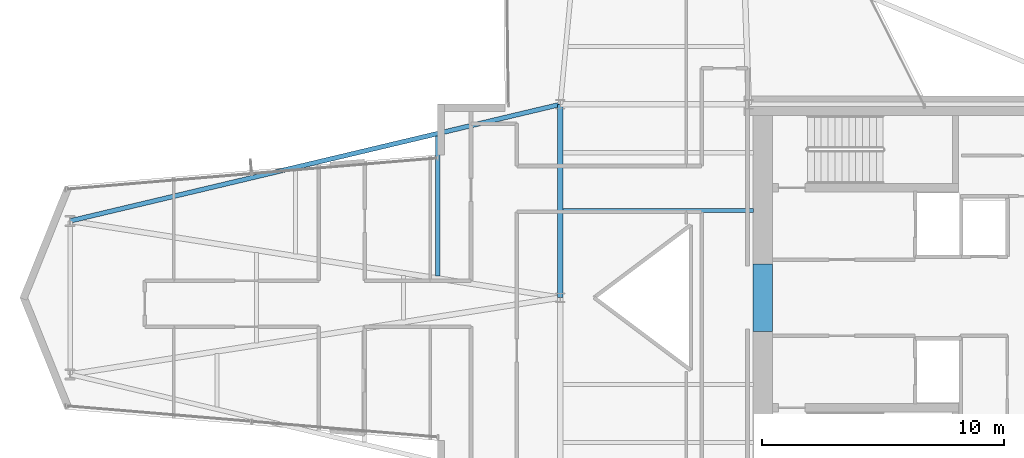
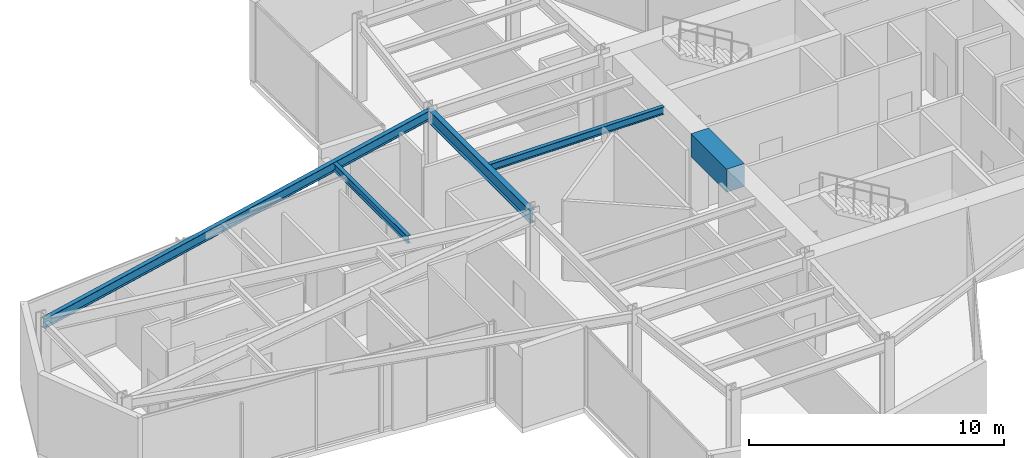
# One storey, part 9 of 26: 5 beams.
"""IFC4 building model written with IfcOpenShell, lengths in metres."""

from ifc_helpers import new_model, si_unit, direction, frame, origin, origin_2d, place, context, subcontext, project, spatial, rectangle, i_section, extrude, material, material_profile, profile_set, type_object, element, save


model = new_model("IFC4")

# Units and contexts
model_context = context("Model", 3, precision=1e-05, world=origin(), true_north=direction((0.0, 1.0)))
body_context = subcontext(model_context, "Body", "Model", "MODEL_VIEW")
ifc_project = project(units=[si_unit("LENGTHUNIT", "METRE"), si_unit("AREAUNIT", "SQUARE_METRE"), si_unit("VOLUMEUNIT", "CUBIC_METRE"), si_unit("PLANEANGLEUNIT", "RADIAN"), si_unit("MASSUNIT", "GRAM", prefix="KILO")], contexts=[model_context])

# Site, building, storey
site_placement = place(None, origin())
site = spatial("IfcSite", under=ifc_project, at=site_placement, CompositionType="ELEMENT")
building_placement = place(site_placement, origin())
building = spatial("IfcBuilding", under=site, at=building_placement, Name="Veymaron Broadcast Tower", CompositionType="ELEMENT")
storey_placement = place(building_placement, frame((0.0, 0.0, 133.050048828125)))
storey = spatial("IfcBuildingStorey", under=building, at=storey_placement, Name="L30", CompositionType="ELEMENT", Elevation=133.050048828125)

# Beams
ifc_material_1 = material(Name="Concrete C70/85", Category="concrete")
ifc_material_profile_1 = material_profile(ifc_material_1, rectangle(XDim=0.800048828125, YDim=1.10009765625, at=origin_2d()), Name="RC800X1100")
ifc_profile_set_1 = profile_set([ifc_material_profile_1], Name="Concrete C70/85")
beam_type_1 = type_object("IfcBeamType", Name="BM-CB1", PredefinedType="LINTEL", material=ifc_profile_set_1)
beam_1_placement = place(storey_placement, frame((39.580078125, 22.60009765625, 3.260009765625), z_axis=(0.0, 1.0, 0.0), x_axis=(-1.0, 0.0, 0.0)))
element("IfcBeam", 1, at=beam_1_placement, inside=storey, type_object=beam_type_1, Name="L30 Core Wall west coupling beam", PredefinedType="LINTEL", context=body_context, shape_type="SweptSolid", body=[
    extrude(rectangle(XDim=0.800048828125, YDim=1.10009765625, at=origin_2d()), origin(), (0.0, 0.0, 1.0), 2.7998046875),
])
ifc_material_2 = material(Name="Structural steel ASTM A992 Gr 50", Category="steel")
ifc_material_profile_2 = material_profile(ifc_material_2, i_section(OverallWidth=0.22802734375, OverallDepth=0.60791015625, WebThickness=0.01123046875, FlangeThickness=0.017333984375, at=origin_2d()), Name="W610X113")
ifc_profile_set_2 = profile_set([ifc_material_profile_2], Name="Structural steel ASTM A992 Gr 50")
beam_type_2 = type_object("IfcBeamType", Name="BM-FG2", PredefinedType="BEAM", material=ifc_profile_set_2)
beam_2_placement = place(storey_placement, frame((31.199951171875, 24.0, 3.505859375), z_axis=(0.0, 1.0, 0.0), x_axis=(-1.0, 0.0, 0.0)))
element("IfcBeam", 2, at=beam_2_placement, inside=storey, type_object=beam_type_2, Name="L30 primary structural floor girder", PredefinedType="BEAM", context=body_context, shape_type="SweptSolid", body=[
    extrude(i_section(OverallWidth=0.22802734375, OverallDepth=0.60791015625, WebThickness=0.01123046875, FlangeThickness=0.017333984375, at=origin_2d()), origin(), (0.0, 0.0, 1.0), 8.0),
])
ifc_material_profile_3 = material_profile(ifc_material_2, i_section(OverallWidth=0.1708984375, OverallDepth=0.35498046875, WebThickness=0.007080078125, FlangeThickness=0.01171875, at=origin_2d()), Name="W360X51")
ifc_profile_set_3 = profile_set([ifc_material_profile_3], Name="Structural steel ASTM A992 Gr 50")
beam_type_3 = type_object("IfcBeamType", Name="BM-JS2", PredefinedType="JOIST", material=ifc_profile_set_3)
beam_3_placement = place(storey_placement, frame((26.126220703125, 24.893798828125, 3.632568359375), z_axis=(0.0, 1.0, 0.0), x_axis=(-1.0, 0.0, 0.0)))
element("IfcBeam", 3, at=beam_3_placement, inside=storey, type_object=beam_type_3, Name="L30 Arm-A secondary joist 2N", PredefinedType="JOIST", context=body_context, shape_type="SweptSolid", body=[
    extrude(i_section(OverallWidth=0.1708984375, OverallDepth=0.35498046875, WebThickness=0.007080078125, FlangeThickness=0.01171875, at=origin_2d()), origin(), (0.0, 0.0, 1.0), 5.7998046875),
])
beam_4_placement = place(storey_placement, frame((31.300048828125, 27.60009765625, 3.632568359375), z_axis=(1.0, 0.0, 0.0), x_axis=(0.0, 1.0, 0.0)))
element("IfcBeam", 4, at=beam_4_placement, inside=storey, type_object=beam_type_3, Name="L30 Hub secondary joist 3", PredefinedType="JOIST", context=body_context, shape_type="SweptSolid", body=[
    extrude(i_section(OverallWidth=0.1708984375, OverallDepth=0.35498046875, WebThickness=0.007080078125, FlangeThickness=0.01171875, at=origin_2d()), origin(), (0.0, 0.0, 1.0), 7.89990234375),
])
ifc_material_profile_4 = material_profile(ifc_material_2, i_section(OverallWidth=0.19091796875, OverallDepth=0.4599609375, WebThickness=0.010009765625, FlangeThickness=0.01611328125, at=origin_2d()), Name="W460X82")
ifc_profile_set_4 = profile_set([ifc_material_profile_4], Name="Structural steel ASTM A992 Gr 50")
beam_type_4 = type_object("IfcBeamType", Name="BM-SP1", PredefinedType="SPANDREL", material=ifc_profile_set_4)
beam_5_placement = place(storey_placement, frame((10.905029296875, 27.175048828125, 3.579833984375), z_axis=(0.972883639047, 0.231295103437, 0.0), x_axis=(-0.231295103437, 0.972883639047, 0.0)))
element("IfcBeam", 5, at=beam_5_placement, inside=storey, type_object=beam_type_4, Name="L30 primary structural floor girder", PredefinedType="SPANDREL", context=body_context, shape_type="SweptSolid", body=[
    extrude(i_section(OverallWidth=0.19091796875, OverallDepth=0.4599609375, WebThickness=0.010009765625, FlangeThickness=0.01611328125, at=origin_2d()), origin(), (0.0, 0.0, 1.0), 20.860595703125),
])

save(model, "model.ifc")
